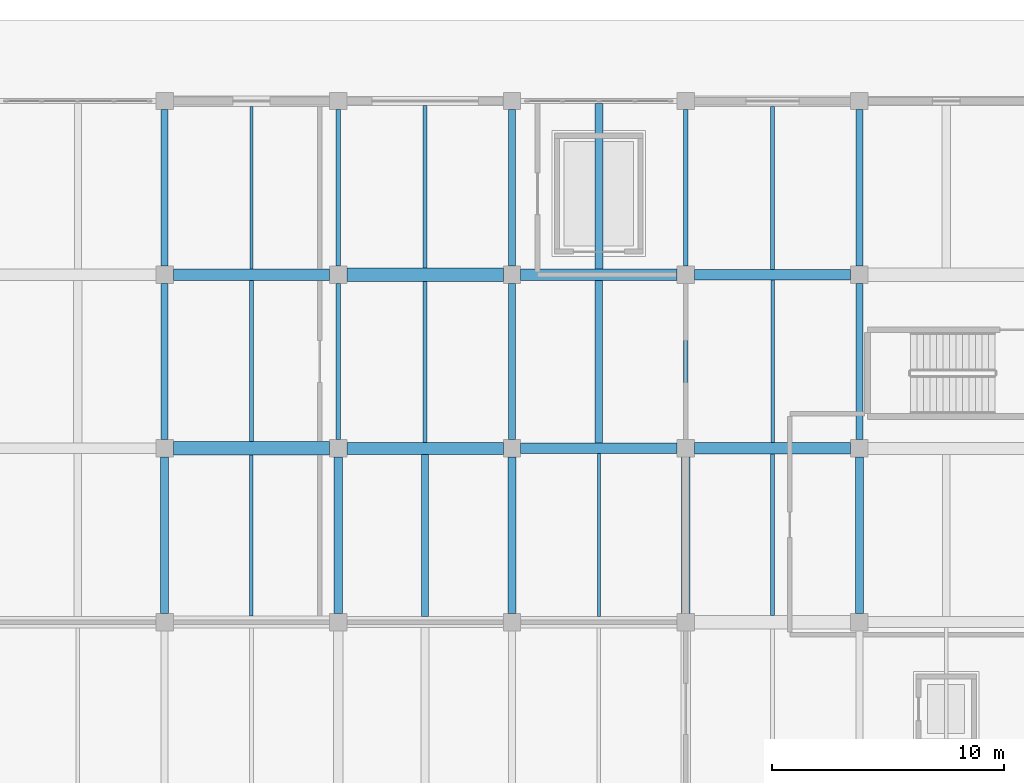
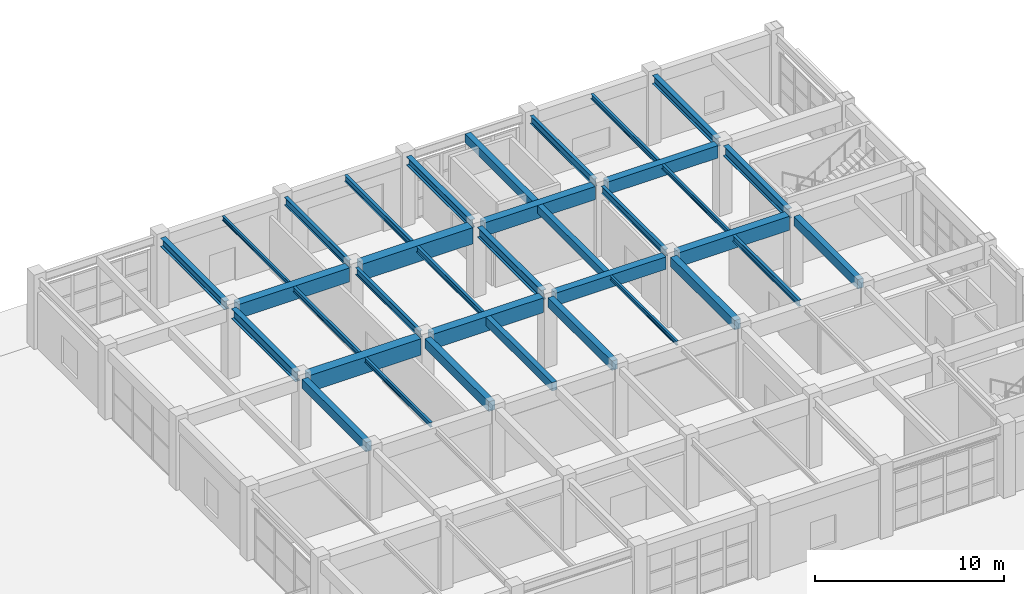
# One storey, part 66 of 122: 35 beams.
"""IFC4 building model written with IfcOpenShell, lengths in metres."""

from ifc_helpers import new_model, si_unit, direction, frame, origin, origin_2d, place, context, subcontext, project, spatial, rectangle, i_section, extrude, material, material_profile, profile_set, type_object, element, save


model = new_model("IFC4")

# Units and contexts
model_context = context("Model", 3, precision=1e-05, world=origin(), true_north=direction((0.0, 1.0)))
body_context = subcontext(model_context, "Body", "Model", "MODEL_VIEW")
ifc_project = project(units=[si_unit("LENGTHUNIT", "METRE"), si_unit("AREAUNIT", "SQUARE_METRE"), si_unit("VOLUMEUNIT", "CUBIC_METRE"), si_unit("PLANEANGLEUNIT", "RADIAN"), si_unit("MASSUNIT", "GRAM", prefix="KILO")], contexts=[model_context])

# Site, building, storey
site_placement = place(None, origin())
site = spatial("IfcSite", under=ifc_project, at=site_placement, CompositionType="ELEMENT")
building_placement = place(site_placement, origin())
building = spatial("IfcBuilding", under=site, at=building_placement, Name="Qasida Concert Hall", CompositionType="ELEMENT")
storey_placement = place(building_placement, origin())
storey = spatial("IfcBuildingStorey", under=building, at=storey_placement, Name="L00", CompositionType="ELEMENT", Elevation=0.0)

# Beams
ifc_material_1 = material(Name="Concrete C40/50", Category="concrete")
ifc_material_profile_1 = material_profile(ifc_material_1, rectangle(XDim=0.3798828125, YDim=0.6201171875, at=origin_2d()), Name="RC 380x620")
ifc_profile_set_1 = profile_set([ifc_material_profile_1], Name="Concrete C40/50")
beam_type_1 = type_object("IfcBeamType", Name="BM-B10", PredefinedType="BEAM", material=ifc_profile_set_1)
for number, where, z_axis, x_axis, name in (
    (1, (135.0, 90.375, 4.18994140625), (0.0, 1.0, 0.0), (-1.0, 0.0, 0.0), "L00 girder 0637"),
    (2, (150.0, 90.375, 4.18994140625), (0.0, 1.0, 0.0), (-1.0, 0.0, 0.0), "L00 girder 0647"),
):
    element("IfcBeam", number, at=place(storey_placement, frame(where, z_axis=z_axis, x_axis=x_axis)), inside=storey, type_object=beam_type_1, Name=name, PredefinedType="BEAM", context=body_context, shape_type="SweptSolid", body=[
        extrude(rectangle(XDim=0.3798828125, YDim=0.6201171875, at=origin_2d()), origin(), (0.0, 0.0, 1.0), 6.75),
    ])
ifc_material_2 = material(Name="Steel S355J2", Category="steel")
ifc_material_profile_2 = material_profile(ifc_material_2, i_section(OverallWidth=0.300048828125, OverallDepth=0.550048828125, WebThickness=0.014892578125, FlangeThickness=0.029052734375, FilletRadius=0.027099609375, at=origin_2d()), Name="HEB 550")
ifc_profile_set_2 = profile_set([ifc_material_profile_2], Name="Steel S355J2")
beam_type_2 = type_object("IfcBeamType", Name="BM-B12", PredefinedType="BEAM", material=ifc_profile_set_2)
for number, where, z_axis, x_axis, name in (
    (3, (127.5, 105.375, 4.22509765625), (0.0, 1.0, 0.0), (-1.0, 0.0, 0.0), "L00 girder 0634"),
    (4, (142.5, 105.375, 4.22509765625), (0.0, 1.0, 0.0), (-1.0, 0.0, 0.0), "L00 girder 0644"),
    (5, (157.5, 105.375, 4.22509765625), (0.0, 1.0, 0.0), (-1.0, 0.0, 0.0), "L00 girder 0654"),
):
    element("IfcBeam", number, at=place(storey_placement, frame(where, z_axis=z_axis, x_axis=x_axis)), inside=storey, type_object=beam_type_2, Name=name, PredefinedType="BEAM", context=body_context, shape_type="SweptSolid", body=[
        extrude(i_section(OverallWidth=0.300048828125, OverallDepth=0.550048828125, WebThickness=0.014892578125, FlangeThickness=0.029052734375, FilletRadius=0.027099609375, at=origin_2d()), origin(), (0.0, 0.0, 1.0), 6.75),
    ])
ifc_material_profile_3 = material_profile(ifc_material_2, i_section(OverallWidth=0.300048828125, OverallDepth=0.64990234375, WebThickness=0.01611328125, FlangeThickness=0.031005859375, FilletRadius=0.027099609375, at=origin_2d()), Name="HEB 650")
ifc_profile_set_3 = profile_set([ifc_material_profile_3], Name="Steel S355J2")
beam_type_3 = type_object("IfcBeamType", Name="BM-B13", PredefinedType="BEAM", material=ifc_profile_set_3)
for number, where, z_axis, x_axis, name in (
    (6, (127.5, 97.875, 4.175048828125), (0.0, 1.0, 0.0), (-1.0, 0.0, 0.0), "L00 girder 0633"),
    (7, (142.5, 97.875, 4.175048828125), (0.0, 1.0, 0.0), (-1.0, 0.0, 0.0), "L00 girder 0643"),
    (8, (157.5, 97.875, 4.175048828125), (0.0, 1.0, 0.0), (-1.0, 0.0, 0.0), "L00 girder 0653"),
):
    element("IfcBeam", number, at=place(storey_placement, frame(where, z_axis=z_axis, x_axis=x_axis)), inside=storey, type_object=beam_type_3, Name=name, PredefinedType="BEAM", context=body_context, shape_type="SweptSolid", body=[
        extrude(i_section(OverallWidth=0.300048828125, OverallDepth=0.64990234375, WebThickness=0.01611328125, FlangeThickness=0.031005859375, FilletRadius=0.027099609375, at=origin_2d()), origin(), (0.0, 0.0, 1.0), 6.75),
    ])
ifc_material_profile_4 = material_profile(ifc_material_1, rectangle(XDim=0.35009765625, YDim=0.60009765625, at=origin_2d()), Name="RC 350x600")
ifc_profile_set_4 = profile_set([ifc_material_profile_4], Name="Concrete C40/50")
beam_type_4 = type_object("IfcBeamType", Name="BM-B2", PredefinedType="BEAM", material=ifc_profile_set_4)
for number, where, z_axis, x_axis, name in (
    (9, (127.5, 90.375, 4.199951171875), (0.0, 1.0, 0.0), (-1.0, 0.0, 0.0), "L00 girder 0632"),
    (10, (142.5, 90.375, 4.199951171875), (0.0, 1.0, 0.0), (-1.0, 0.0, 0.0), "L00 girder 0642"),
    (11, (157.5, 90.375, 4.199951171875), (0.0, 1.0, 0.0), (-1.0, 0.0, 0.0), "L00 girder 0652"),
):
    element("IfcBeam", number, at=place(storey_placement, frame(where, z_axis=z_axis, x_axis=x_axis)), inside=storey, type_object=beam_type_4, Name=name, PredefinedType="BEAM", context=body_context, shape_type="SweptSolid", body=[
        extrude(rectangle(XDim=0.35009765625, YDim=0.60009765625, at=origin_2d()), origin(), (0.0, 0.0, 1.0), 6.75),
    ])
ifc_material_profile_5 = material_profile(ifc_material_2, i_section(OverallWidth=0.199951171875, OverallDepth=0.5, WebThickness=0.01025390625, FlangeThickness=0.01611328125, FilletRadius=0.02099609375, at=origin_2d()), Name="IPE 500")
ifc_profile_set_5 = profile_set([ifc_material_profile_5], Name="Steel S355J2")
beam_type_5 = type_object("IfcBeamType", Name="BM-B4", PredefinedType="BEAM", material=ifc_profile_set_5)
for number, where, z_axis, x_axis, name in (
    (12, (135.0, 105.375, 4.25), (0.0, 1.0, 0.0), (-1.0, 0.0, 0.0), "L00 girder 0639"),
    (13, (150.0, 105.375, 4.25), (0.0, 1.0, 0.0), (-1.0, 0.0, 0.0), "L00 girder 0649"),
):
    element("IfcBeam", number, at=place(storey_placement, frame(where, z_axis=z_axis, x_axis=x_axis)), inside=storey, type_object=beam_type_5, Name=name, PredefinedType="BEAM", context=body_context, shape_type="SweptSolid", body=[
        extrude(i_section(OverallWidth=0.199951171875, OverallDepth=0.5, WebThickness=0.01025390625, FlangeThickness=0.01611328125, FilletRadius=0.02099609375, at=origin_2d()), origin(), (0.0, 0.0, 1.0), 6.75),
    ])
ifc_material_profile_6 = material_profile(ifc_material_2, i_section(OverallWidth=0.18994140625, OverallDepth=0.449951171875, WebThickness=0.009521484375, FlangeThickness=0.0146484375, FilletRadius=0.02099609375, at=origin_2d()), Name="IPE 450")
ifc_profile_set_6 = profile_set([ifc_material_profile_6], Name="Steel S355J2")
beam_type_6 = type_object("IfcBeamType", Name="BM-B5", PredefinedType="BEAM", material=ifc_profile_set_6)
for number, where, z_axis, x_axis, name in (
    (14, (135.0, 97.875, 4.27490234375), (0.0, 1.0, 0.0), (-1.0, 0.0, 0.0), "L00 girder 0638"),
    (15, (150.0, 97.875, 4.27490234375), (0.0, 1.0, 0.0), (-1.0, 0.0, 0.0), "L00 girder 0648"),
):
    element("IfcBeam", number, at=place(storey_placement, frame(where, z_axis=z_axis, x_axis=x_axis)), inside=storey, type_object=beam_type_6, Name=name, PredefinedType="BEAM", context=body_context, shape_type="SweptSolid", body=[
        extrude(i_section(OverallWidth=0.18994140625, OverallDepth=0.449951171875, WebThickness=0.009521484375, FlangeThickness=0.0146484375, FilletRadius=0.02099609375, at=origin_2d()), origin(), (0.0, 0.0, 1.0), 6.75),
    ])
ifc_material_profile_7 = material_profile(ifc_material_1, rectangle(XDim=0.5, YDim=0.89990234375, at=origin_2d()), Name="RC 500x900")
ifc_profile_set_7 = profile_set([ifc_material_profile_7], Name="Concrete C40/50")
beam_type_7 = type_object("IfcBeamType", Name="BM-G1", PredefinedType="USERDEFINED", material=ifc_profile_set_7)
for number, where, z_axis, x_axis, name in (
    (16, (150.375, 97.5, 4.050048828125), (1.0, 0.0, 0.0), (0.0, 1.0, 0.0), "Primary girder 0611"),
    (17, (127.875, 105.0, 4.050048828125), (1.0, 0.0, 0.0), (0.0, 1.0, 0.0), "Primary girder 0614"),
):
    element("IfcBeam", number, at=place(storey_placement, frame(where, z_axis=z_axis, x_axis=x_axis)), inside=storey, type_object=beam_type_7, Name=name, ObjectType="GIRDER", PredefinedType="USERDEFINED", context=body_context, shape_type="SweptSolid", body=[
        extrude(rectangle(XDim=0.5, YDim=0.89990234375, at=origin_2d()), origin(), (0.0, 0.0, 1.0), 6.75),
    ])
ifc_material_profile_8 = material_profile(ifc_material_1, rectangle(XDim=0.449951171875, YDim=0.800048828125, at=origin_2d()), Name="RC 450x800")
ifc_profile_set_8 = profile_set([ifc_material_profile_8], Name="Concrete C40/50")
beam_type_8 = type_object("IfcBeamType", Name="BM-G2", PredefinedType="USERDEFINED", material=ifc_profile_set_8)
for number, where, z_axis, x_axis, name in (
    (18, (142.875, 97.5, 4.10009765625), (1.0, 0.0, 0.0), (0.0, 1.0, 0.0), "Primary girder 0610"),
    (19, (150.375, 105.0, 4.10009765625), (1.0, 0.0, 0.0), (0.0, 1.0, 0.0), "Primary girder 0617"),
):
    element("IfcBeam", number, at=place(storey_placement, frame(where, z_axis=z_axis, x_axis=x_axis)), inside=storey, type_object=beam_type_8, Name=name, ObjectType="GIRDER", PredefinedType="USERDEFINED", context=body_context, shape_type="SweptSolid", body=[
        extrude(rectangle(XDim=0.449951171875, YDim=0.800048828125, at=origin_2d()), origin(), (0.0, 0.0, 1.0), 6.75),
    ])
ifc_material_profile_9 = material_profile(ifc_material_1, rectangle(XDim=0.47998046875, YDim=0.85009765625, at=origin_2d()), Name="RC 480x850")
ifc_profile_set_9 = profile_set([ifc_material_profile_9], Name="Concrete C40/50")
beam_type_9 = type_object("IfcBeamType", Name="BM-G6", PredefinedType="USERDEFINED", material=ifc_profile_set_9)
beam_1_placement = place(storey_placement, frame((142.875, 105.0, 4.074951171875), z_axis=(1.0, 0.0, 0.0), x_axis=(0.0, 1.0, 0.0)))
element("IfcBeam", 20, at=beam_1_placement, inside=storey, type_object=beam_type_9, Name="Primary girder 0616", ObjectType="GIRDER", PredefinedType="USERDEFINED", context=body_context, shape_type="SweptSolid", body=[
    extrude(rectangle(XDim=0.47998046875, YDim=0.85009765625, at=origin_2d()), origin(), (0.0, 0.0, 1.0), 6.75),
])
ifc_material_profile_10 = material_profile(ifc_material_1, rectangle(XDim=0.52001953125, YDim=0.949951171875, at=origin_2d()), Name="RC 520x950")
ifc_profile_set_10 = profile_set([ifc_material_profile_10], Name="Concrete C40/50")
beam_type_10 = type_object("IfcBeamType", Name="BM-G7", PredefinedType="USERDEFINED", material=ifc_profile_set_10)
beam_2_placement = place(storey_placement, frame((135.375, 97.5, 4.02490234375), z_axis=(1.0, 0.0, 0.0), x_axis=(0.0, 1.0, 0.0)))
element("IfcBeam", 21, at=beam_2_placement, inside=storey, type_object=beam_type_10, Name="Primary girder 0609", ObjectType="GIRDER", PredefinedType="USERDEFINED", context=body_context, shape_type="SweptSolid", body=[
    extrude(rectangle(XDim=0.52001953125, YDim=0.949951171875, at=origin_2d()), origin(), (0.0, 0.0, 1.0), 6.75),
])
ifc_material_3 = material(Name="Concrete C50/60", Category="concrete")
ifc_material_profile_11 = material_profile(ifc_material_3, rectangle(XDim=0.580078125, YDim=1.050048828125, at=origin_2d()), Name="RC 580x1050")
ifc_profile_set_11 = profile_set([ifc_material_profile_11], Name="Concrete C50/60")
beam_type_11 = type_object("IfcBeamType", Name="BM-G8", PredefinedType="USERDEFINED", material=ifc_profile_set_11)
for number, where, z_axis, x_axis, name in (
    (22, (127.875, 97.5, 3.97509765625), (1.0, 0.0, 0.0), (0.0, 1.0, 0.0), "Primary girder 0608"),
    (23, (135.375, 105.0, 3.97509765625), (1.0, 0.0, 0.0), (0.0, 1.0, 0.0), "Primary girder 0615"),
):
    element("IfcBeam", number, at=place(storey_placement, frame(where, z_axis=z_axis, x_axis=x_axis)), inside=storey, type_object=beam_type_11, Name=name, ObjectType="GIRDER", PredefinedType="USERDEFINED", context=body_context, shape_type="SweptSolid", body=[
        extrude(rectangle(XDim=0.580078125, YDim=1.050048828125, at=origin_2d()), origin(), (0.0, 0.0, 1.0), 6.75),
    ])
ifc_material_profile_12 = material_profile(ifc_material_1, rectangle(XDim=0.300048828125, YDim=0.550048828125, at=origin_2d()), Name="RC 300x550")
ifc_profile_set_12 = profile_set([ifc_material_profile_12], Name="Concrete C40/50")
beam_type_12 = type_object("IfcBeamType", Name="BM-J1", PredefinedType="JOIST", material=ifc_profile_set_12)
beam_3_placement = place(storey_placement, frame((138.75, 90.239990234375, 4.22509765625), z_axis=(0.0, 1.0, 0.0), x_axis=(-1.0, 0.0, 0.0)))
element("IfcBeam", 24, at=beam_3_placement, inside=storey, type_object=beam_type_12, Name="L00 secondary joist 0672", PredefinedType="JOIST", context=body_context, shape_type="SweptSolid", body=[
    extrude(rectangle(XDim=0.300048828125, YDim=0.550048828125, at=origin_2d()), origin(), (0.0, 0.0, 1.0), 7.0),
])
ifc_material_profile_13 = material_profile(ifc_material_2, i_section(OverallWidth=0.169921875, OverallDepth=0.360107421875, WebThickness=0.008056640625, FlangeThickness=0.0126953125, FilletRadius=0.01806640625, at=origin_2d()), Name="IPE 360")
ifc_profile_set_13 = profile_set([ifc_material_profile_13], Name="Steel S355J2")
beam_type_13 = type_object("IfcBeamType", Name="BM-J2", PredefinedType="JOIST", material=ifc_profile_set_13)
beam_4_placement = place(storey_placement, frame((138.75, 97.760009765625, 4.320068359375), z_axis=(0.0, 1.0, 0.0), x_axis=(-1.0, 0.0, 0.0)))
element("IfcBeam", 25, at=beam_4_placement, inside=storey, type_object=beam_type_13, Name="L00 secondary joist 0673", PredefinedType="JOIST", context=body_context, shape_type="SweptSolid", body=[
    extrude(i_section(OverallWidth=0.169921875, OverallDepth=0.360107421875, WebThickness=0.008056640625, FlangeThickness=0.0126953125, FilletRadius=0.01806640625, at=origin_2d()), origin(), (0.0, 0.0, 1.0), 6.949951171875),
])
ifc_material_profile_14 = material_profile(ifc_material_2, i_section(OverallWidth=0.179931640625, OverallDepth=0.39990234375, WebThickness=0.008544921875, FlangeThickness=0.013427734375, FilletRadius=0.02099609375, at=origin_2d()), Name="IPE 400")
ifc_profile_set_14 = profile_set([ifc_material_profile_14], Name="Steel S355J2")
beam_type_14 = type_object("IfcBeamType", Name="BM-J3", PredefinedType="JOIST", material=ifc_profile_set_14)
beam_5_placement = place(storey_placement, frame((138.75, 105.2900390625, 4.300048828125), z_axis=(0.0, 1.0, 0.0), x_axis=(-1.0, 0.0, 0.0)))
element("IfcBeam", 26, at=beam_5_placement, inside=storey, type_object=beam_type_14, Name="L00 secondary joist 0674", PredefinedType="JOIST", context=body_context, shape_type="SweptSolid", body=[
    extrude(i_section(OverallWidth=0.179931640625, OverallDepth=0.39990234375, WebThickness=0.008544921875, FlangeThickness=0.013427734375, FilletRadius=0.02099609375, at=origin_2d()), origin(), (0.0, 0.0, 1.0), 7.010009765625),
])
beam_6_placement = place(storey_placement, frame((153.75, 90.2900390625, 4.300048828125), z_axis=(0.0, 1.0, 0.0), x_axis=(-1.0, 0.0, 0.0)))
element("IfcBeam", 27, at=beam_6_placement, inside=storey, type_object=beam_type_14, Name="L00 secondary joist 0682", PredefinedType="JOIST", context=body_context, shape_type="SweptSolid", body=[
    extrude(i_section(OverallWidth=0.179931640625, OverallDepth=0.39990234375, WebThickness=0.008544921875, FlangeThickness=0.013427734375, FilletRadius=0.02099609375, at=origin_2d()), origin(), (0.0, 0.0, 1.0), 6.9599609375),
])
ifc_material_profile_15 = material_profile(ifc_material_2, i_section(OverallWidth=0.14990234375, OverallDepth=0.300048828125, WebThickness=0.007080078125, FlangeThickness=0.0107421875, FilletRadius=0.014892578125, at=origin_2d()), Name="IPE 300")
ifc_profile_set_15 = profile_set([ifc_material_profile_15], Name="Steel S355J2")
beam_type_15 = type_object("IfcBeamType", Name="BM-J4", PredefinedType="JOIST", material=ifc_profile_set_15)
beam_7_placement = place(storey_placement, frame((131.25, 90.260009765625, 4.35009765625), z_axis=(0.0, 1.0, 0.0), x_axis=(-1.0, 0.0, 0.0)))
element("IfcBeam", 28, at=beam_7_placement, inside=storey, type_object=beam_type_15, Name="L00 secondary joist 0667", PredefinedType="JOIST", context=body_context, shape_type="SweptSolid", body=[
    extrude(i_section(OverallWidth=0.14990234375, OverallDepth=0.300048828125, WebThickness=0.007080078125, FlangeThickness=0.0107421875, FilletRadius=0.014892578125, at=origin_2d()), origin(), (0.0, 0.0, 1.0), 6.949951171875),
])
beam_8_placement = place(storey_placement, frame((153.75, 97.75, 4.35009765625), z_axis=(0.0, 1.0, 0.0), x_axis=(-1.0, 0.0, 0.0)))
element("IfcBeam", 29, at=beam_8_placement, inside=storey, type_object=beam_type_15, Name="L00 secondary joist 0683", PredefinedType="JOIST", context=body_context, shape_type="SweptSolid", body=[
    extrude(i_section(OverallWidth=0.14990234375, OverallDepth=0.300048828125, WebThickness=0.007080078125, FlangeThickness=0.0107421875, FilletRadius=0.014892578125, at=origin_2d()), origin(), (0.0, 0.0, 1.0), 7.02490234375),
])
ifc_material_profile_16 = material_profile(ifc_material_2, i_section(OverallWidth=0.159912109375, OverallDepth=0.330078125, WebThickness=0.007568359375, FlangeThickness=0.011474609375, FilletRadius=0.01806640625, at=origin_2d()), Name="IPE 330")
ifc_profile_set_16 = profile_set([ifc_material_profile_16], Name="Steel S355J2")
beam_type_16 = type_object("IfcBeamType", Name="BM-J5", PredefinedType="JOIST", material=ifc_profile_set_16)
beam_9_placement = place(storey_placement, frame((131.25, 97.7900390625, 4.3349609375), z_axis=(0.0, 1.0, 0.0), x_axis=(-1.0, 0.0, 0.0)))
element("IfcBeam", 30, at=beam_9_placement, inside=storey, type_object=beam_type_16, Name="L00 secondary joist 0668", PredefinedType="JOIST", context=body_context, shape_type="SweptSolid", body=[
    extrude(i_section(OverallWidth=0.159912109375, OverallDepth=0.330078125, WebThickness=0.007568359375, FlangeThickness=0.011474609375, FilletRadius=0.01806640625, at=origin_2d()), origin(), (0.0, 0.0, 1.0), 6.9599609375),
])
beam_10_placement = place(storey_placement, frame((153.75, 105.22509765625, 4.3349609375), z_axis=(0.0, 1.0, 0.0), x_axis=(-1.0, 0.0, 0.0)))
element("IfcBeam", 31, at=beam_10_placement, inside=storey, type_object=beam_type_16, Name="L00 secondary joist 0684", PredefinedType="JOIST", context=body_context, shape_type="SweptSolid", body=[
    extrude(i_section(OverallWidth=0.159912109375, OverallDepth=0.330078125, WebThickness=0.007568359375, FlangeThickness=0.011474609375, FilletRadius=0.01806640625, at=origin_2d()), origin(), (0.0, 0.0, 1.0), 7.0498046875),
])
ifc_material_profile_17 = material_profile(ifc_material_2, i_section(OverallWidth=0.135009765625, OverallDepth=0.27001953125, WebThickness=0.006591796875, FlangeThickness=0.01025390625, FilletRadius=0.014892578125, at=origin_2d()), Name="IPE 270")
ifc_profile_set_17 = profile_set([ifc_material_profile_17], Name="Steel S355J2")
beam_type_17 = type_object("IfcBeamType", Name="BM-J6", PredefinedType="JOIST", material=ifc_profile_set_17)
for number, where, z_axis, x_axis, name in (
    (32, (131.25, 105.25, 4.364990234375), (0.0, 1.0, 0.0), (-1.0, 0.0, 0.0), "L00 secondary joist 0669"),
    (33, (146.25, 90.25, 4.364990234375), (0.0, 1.0, 0.0), (-1.0, 0.0, 0.0), "L00 secondary joist 0677"),
):
    element("IfcBeam", number, at=place(storey_placement, frame(where, z_axis=z_axis, x_axis=x_axis)), inside=storey, type_object=beam_type_17, Name=name, PredefinedType="JOIST", context=body_context, shape_type="SweptSolid", body=[
        extrude(i_section(OverallWidth=0.135009765625, OverallDepth=0.27001953125, WebThickness=0.006591796875, FlangeThickness=0.01025390625, FilletRadius=0.014892578125, at=origin_2d()), origin(), (0.0, 0.0, 1.0), 7.02490234375),
    ])
ifc_material_profile_18 = material_profile(ifc_material_1, rectangle(XDim=0.320068359375, YDim=0.5, at=origin_2d()), Name="RC 320x500")
ifc_profile_set_18 = profile_set([ifc_material_profile_18], Name="Concrete C40/50")
beam_type_18 = type_object("IfcBeamType", Name="BM-J7", PredefinedType="JOIST", material=ifc_profile_set_18)
beam_11_placement = place(storey_placement, frame((146.25, 97.72509765625, 4.25), z_axis=(0.0, 1.0, 0.0), x_axis=(-1.0, 0.0, 0.0)))
element("IfcBeam", 34, at=beam_11_placement, inside=storey, type_object=beam_type_18, Name="L00 secondary joist 0678", PredefinedType="JOIST", context=body_context, shape_type="SweptSolid", body=[
    extrude(rectangle(XDim=0.320068359375, YDim=0.5, at=origin_2d()), origin(), (0.0, 0.0, 1.0), 7.034912109375),
])
ifc_material_profile_19 = material_profile(ifc_material_1, rectangle(XDim=0.35009765625, YDim=0.550048828125, at=origin_2d()), Name="RC 350x550")
ifc_profile_set_19 = profile_set([ifc_material_profile_19], Name="Concrete C40/50")
beam_type_19 = type_object("IfcBeamType", Name="BM-J8", PredefinedType="JOIST", material=ifc_profile_set_19)
beam_12_placement = place(storey_placement, frame((146.25, 105.239990234375, 4.22509765625), z_axis=(0.0, 1.0, 0.0), x_axis=(-1.0, 0.0, 0.0)))
element("IfcBeam", 35, at=beam_12_placement, inside=storey, type_object=beam_type_19, Name="L00 secondary joist 0679", PredefinedType="JOIST", context=body_context, shape_type="SweptSolid", body=[
    extrude(rectangle(XDim=0.35009765625, YDim=0.550048828125, at=origin_2d()), origin(), (0.0, 0.0, 1.0), 7.155029296875),
])

save(model, "model.ifc")
